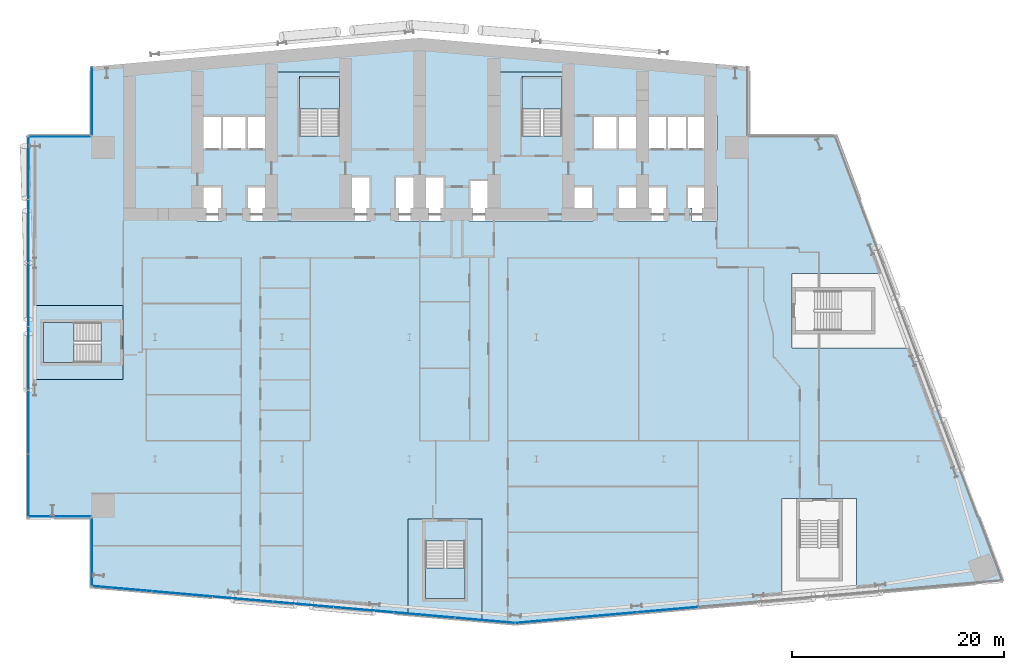
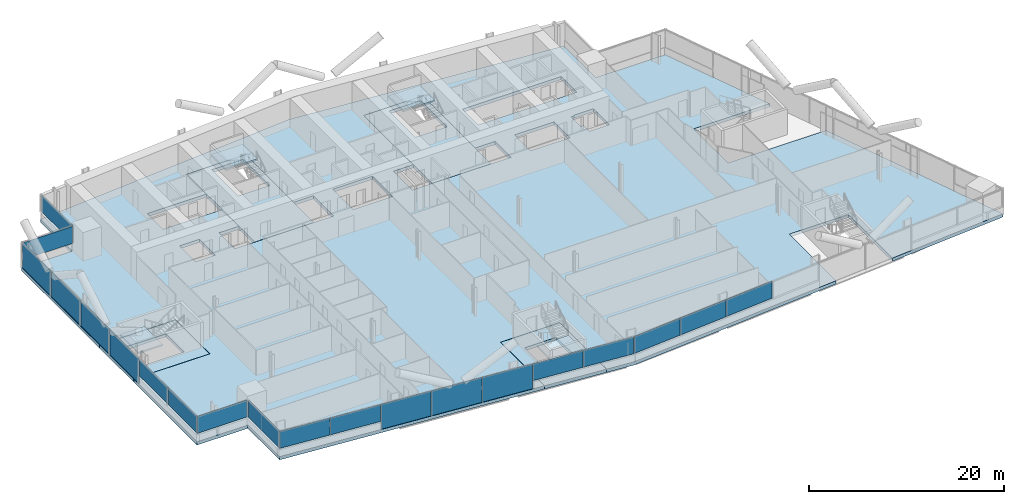
# One storey, part 11 of 27: 20 plates, 9 slabs, 11 elements without a shape of their own.
"""IFC4 building model written with IfcOpenShell, lengths in metres."""

import ifcopenshell
import ifcopenshell.guid

model = None  # the IFC model being written
_history = None  # IfcOwnerHistory: only IFC2X3 demands one
_inside = {}  # id of a spatial element -> (the spatial element, [elements in it])
_under = {}  # id of a project, library or spatial element -> (it, [spatial elements below it])
_declared = {}  # id of a project -> (the project, [libraries it declares])
_typed = {}  # id of a type object -> (the type object, [elements of that type])
_made_of = {}  # id of a material, layer set ... -> (it, [elements and type objects made of it])


def new_model(schema):
    """Start an empty IFC model of exactly this schema.

    Asked for "IFC4X3", IfcOpenShell would pick the latest addendum, in which some entities
    have other attributes; the version numbers below select the first issue.
    IFC2X3 requires an IfcOwnerHistory on every rooted entity: one is made here for all.
    """
    global model, _history
    if schema == "IFC4X3":
        model = ifcopenshell.file(schema_version=(4, 3, 0, 0))
    else:
        model = ifcopenshell.file(schema=schema)
    _inside.clear()
    _under.clear()
    _declared.clear()
    _typed.clear()
    _made_of.clear()
    _history = None
    if model.schema == "IFC2X3":
        org = make("IfcOrganization", Name="unknown")
        user = make(
            "IfcPersonAndOrganization",
            ThePerson=make("IfcPerson", FamilyName="unknown"),
            TheOrganization=org,
        )
        app = make(
            "IfcApplication",
            ApplicationDeveloper=org,
            Version="unknown",
            ApplicationFullName="unknown",
            ApplicationIdentifier="unknown",
        )
        _history = make(
            "IfcOwnerHistory",
            OwningUser=user,
            OwningApplication=app,
            ChangeAction="ADDED",
            CreationDate=0,
        )
    return model


def make(cls, **values):
    """One entity of the class cls with the attributes given. An attribute that is None is left unset."""
    return model.create_entity(
        cls, **{name: value for name, value in values.items() if value is not None}
    )


def rooted(cls, **values):
    """An entity with a GlobalId (a new one), such as an element, a storey or a relation."""
    return make(cls, GlobalId=ifcopenshell.guid.new(), OwnerHistory=_history, **values)


def si_unit(unit_type, name, prefix=None):
    """IfcSIUnit, for example si_unit("LENGTHUNIT", "METRE", prefix="MILLI")."""
    return make("IfcSIUnit", UnitType=unit_type, Prefix=prefix, Name=name)


def assignment(units):
    """IfcUnitAssignment: the units of a project."""
    return None if units is None else make("IfcUnitAssignment", Units=units)


def point(xyz):
    """IfcCartesianPoint."""
    return None if xyz is None else make("IfcCartesianPoint", Coordinates=xyz)


def direction(xyz):
    """IfcDirection."""
    return None if xyz is None else make("IfcDirection", DirectionRatios=xyz)


def frame(location, z_axis=None, x_axis=None):
    """IfcAxis2Placement3D, a coordinate frame: its origin and axes. An axis left out is left unset."""
    return make(
        "IfcAxis2Placement3D",
        Location=point(location),
        Axis=direction(z_axis),
        RefDirection=direction(x_axis),
    )


def frame_2d(location, x_axis=None):
    """IfcAxis2Placement2D, a coordinate frame in the plane: its origin and x axis."""
    return make(
        "IfcAxis2Placement2D", Location=point(location), RefDirection=direction(x_axis)
    )


def origin():
    """The frame at (0, 0, 0) with its axes left unset."""
    return frame((0.0, 0.0, 0.0))


def origin_2d():
    """The frame at (0, 0) in the plane with its x axis left unset."""
    return frame_2d((0.0, 0.0))


def place(relative_to, where):
    """IfcLocalPlacement: puts the frame where relative to a parent placement (None: the world)."""
    return make(
        "IfcLocalPlacement", PlacementRelTo=relative_to, RelativePlacement=where
    )


def context(
    kind, dimensions, precision=None, world=None, true_north=None, identifier=None
):
    """IfcGeometricRepresentationContext, for example the 3D "Model" context."""
    return make(
        "IfcGeometricRepresentationContext",
        ContextIdentifier=identifier,
        ContextType=kind,
        CoordinateSpaceDimension=dimensions,
        Precision=precision,
        WorldCoordinateSystem=world,
        TrueNorth=true_north,
    )


def subcontext(parent, identifier, kind, view, scale=None):
    """IfcGeometricRepresentationSubContext, for example "Body" below "Model"."""
    return make(
        "IfcGeometricRepresentationSubContext",
        ContextIdentifier=identifier,
        ContextType=kind,
        ParentContext=parent,
        TargetScale=scale,
        TargetView=view,
    )


def project(units=None, contexts=None):
    """IfcProject with its units and contexts."""
    return rooted(
        "IfcProject",
        Name="project",
        RepresentationContexts=contexts,
        UnitsInContext=assignment(units),
    )


def spatial(cls, under=None, at=None, **own):
    """A site, building, storey or space (cls), placed at a placement, below another one or the project."""
    s = rooted(cls, ObjectPlacement=at, **own)
    if under is not None:
        _under.setdefault(under.id(), (under, []))[1].append(s)
    return s


def polyline(points):
    """IfcPolyline through the points."""
    return make("IfcPolyline", Points=[point(p) for p in points])


def profile(cls, at=None, kind="AREA", **sizes):
    """A parametric profile (cls). Its sizes go by their IFC names, for example OverallWidth=200.0."""
    return make(cls, ProfileType=kind, Position=at, **sizes)


def rectangle(**sizes):
    """IfcRectangleProfileDef."""
    return profile("IfcRectangleProfileDef", **sizes)


def outline(outer, holes=None, kind="AREA"):
    """IfcArbitraryClosedProfileDef: a profile drawn as a closed curve; with holes, ...WithVoids."""
    if holes is None:
        return make("IfcArbitraryClosedProfileDef", ProfileType=kind, OuterCurve=outer)
    return make(
        "IfcArbitraryProfileDefWithVoids",
        ProfileType=kind,
        OuterCurve=outer,
        InnerCurves=holes,
    )


def extrude(swept, where, along, depth):
    """IfcExtrudedAreaSolid: the profile swept, set in the frame where, extruded along a direction by depth."""
    return make(
        "IfcExtrudedAreaSolid",
        SweptArea=swept,
        Position=where,
        ExtrudedDirection=direction(along),
        Depth=depth,
    )


def shape(context_of_items, identifier, shape_type, items):
    """IfcShapeRepresentation: the items that make up one representation, for example the "Body"."""
    return make(
        "IfcShapeRepresentation",
        ContextOfItems=context_of_items,
        RepresentationIdentifier=identifier,
        RepresentationType=shape_type,
        Items=items,
    )


def material(Name=None, Category=None):
    """IfcMaterial."""
    return make("IfcMaterial", Name=Name, Category=Category)


def layer(
    of_material, thickness, ventilated=None, Name=None, Category=None, Priority=None
):
    """IfcMaterialLayer: one layer of a wall or slab, of a material (None: an air gap)."""
    return make(
        "IfcMaterialLayer",
        Material=of_material,
        LayerThickness=thickness,
        IsVentilated=ventilated,
        Name=Name,
        Category=Category,
        Priority=Priority,
    )


def layer_set(layers, Name=None):
    """IfcMaterialLayerSet."""
    return make("IfcMaterialLayerSet", MaterialLayers=layers, LayerSetName=Name)


def made_of(thing, what):
    """Note that an element or type object is made of a material, layer set ...; save() writes the relation."""
    if what is not None:
        _made_of.setdefault(what.id(), (what, []))[1].append(thing)
    return thing


def type_object(cls, material=None, **own):
    """A type object (cls), such as IfcWallType, which elements share."""
    return made_of(rooted(cls, **own), material)


def element(
    cls,
    number,
    at=None,
    inside=None,
    cuts=None,
    type_object=None,
    material=None,
    context=None,
    identifier="Body",
    shape_type=None,
    held_by="IfcProductDefinitionShape",
    body=None,
    shapes=None,
    **own,
):
    """One element of the class cls, such as IfcWall. Its Tag is "e" and its number.

    at: its placement. inside: the storey or other place that contains it. cuts: it is an
    opening in that element (IfcRelVoidsElement). A single representation is given by context,
    identifier, shape_type and body (its items); several are given by shapes. held_by: the class
    of the entity that holds the representations. save() writes the other relations.
    """
    e = rooted(cls, Tag="e%d" % number, ObjectPlacement=at, **own)
    if body is not None:
        shapes = [shape(context, identifier, shape_type, body)]
    if shapes is not None:
        e.Representation = make(held_by, Representations=shapes)
    if inside is not None:
        _inside.setdefault(inside.id(), (inside, []))[1].append(e)
    if cuts is not None:
        rooted(
            "IfcRelVoidsElement", RelatingBuildingElement=cuts, RelatedOpeningElement=e
        )
    if type_object is not None:
        _typed.setdefault(type_object.id(), (type_object, []))[1].append(e)
    return made_of(e, material)


def aggregate(whole, parts):
    """IfcRelAggregates: a whole, such as a stair, and the parts it consists of."""
    return rooted("IfcRelAggregates", RelatingObject=whole, RelatedObjects=parts)


def save(model, path):
    """Write the relations noted so far, then the file.

    IfcRelAggregates (storeys below a building ...), IfcRelContainedInSpatialStructure (elements
    in a storey), IfcRelDefinesByType, IfcRelAssociatesMaterial and IfcRelDeclares: one each for
    every whole, place, type object, material and project.
    """
    for whole, parts in _under.values():
        aggregate(whole, parts)
    for where, things in _inside.values():
        rooted(
            "IfcRelContainedInSpatialStructure",
            RelatedElements=things,
            RelatingStructure=where,
        )
    for kind, things in _typed.values():
        rooted("IfcRelDefinesByType", RelatedObjects=things, RelatingType=kind)
    for what, things in _made_of.values():
        rooted("IfcRelAssociatesMaterial", RelatedObjects=things, RelatingMaterial=what)
    for by, libraries in _declared.values():
        rooted("IfcRelDeclares", RelatingContext=by, RelatedDefinitions=libraries)
    model.write(path)


model = new_model("IFC4")

# Units and contexts
model_context = context("Model", 3, precision=1e-05, world=origin(), true_north=direction((0.0, 1.0)))
body_context = subcontext(model_context, "Body", "Model", "MODEL_VIEW")
ifc_project = project(units=[si_unit("LENGTHUNIT", "METRE"), si_unit("AREAUNIT", "SQUARE_METRE"), si_unit("VOLUMEUNIT", "CUBIC_METRE"), si_unit("PLANEANGLEUNIT", "RADIAN"), si_unit("MASSUNIT", "GRAM", prefix="KILO")], contexts=[model_context])

# Site, building, storey
site_placement = place(None, origin())
site = spatial("IfcSite", under=ifc_project, at=site_placement, CompositionType="ELEMENT")
building_placement = place(site_placement, origin())
building = spatial("IfcBuilding", under=site, at=building_placement, Name="Wharfspan Tower", CompositionType="ELEMENT")
storey_placement = place(building_placement, frame((0.0, 0.0, 77.5)))
storey = spatial("IfcBuildingStorey", under=building, at=storey_placement, Name="L16", CompositionType="ELEMENT", Elevation=77.5)

# Curtain wall, plates
ifc_material_1 = material(Name="Aluminium 6063-T6", Category="aluminium")
curtain_wall_type_1 = type_object("IfcCurtainWallType", Name="CURTAIN WALL FACETED FRONT", PredefinedType="NOTDEFINED", material=ifc_material_1)
curtain_wall_1_placement = place(storey_placement, origin())
curtain_wall_1 = element("IfcCurtainWall", 1, at=curtain_wall_1_placement, inside=storey, type_object=curtain_wall_type_1, Name="Curtain wall S1", PredefinedType="NOTDEFINED")
ifc_material_2 = material(Name="Glass clear low-iron double glazing", Category="glass")
ifc_layer_1 = layer(ifc_material_2, 0.040039)
ifc_layer_set_1 = layer_set([ifc_layer_1], Name="Glass clear low-iron double glazing")
plate_type_1 = type_object("IfcPlateType", Name="GLASS PANEL FACETED FRONT 40", PredefinedType="CURTAIN_PANEL", material=ifc_layer_set_1)
plate_1_placement = place(storey_placement, frame((8.877197, -0.716553, 1.0), z_axis=(0.0, 0.0, 1.0), x_axis=(0.996197, -0.087156, 0.0)))
plate_1 = element("IfcPlate", 2, at=plate_1_placement, type_object=plate_type_1, Name="Curtain wall S1 panel 1", PredefinedType="CURTAIN_PANEL", context=body_context, shape_type="SweptSolid", body=[
    extrude(rectangle(XDim=5.645996, YDim=0.040039, at=origin_2d()), origin(), (0.0, 0.0, 1.0), 2.120117),
])
plate_2_placement = place(storey_placement, frame((14.57666, -1.215088, 1.0), z_axis=(0.0, 0.0, 1.0), x_axis=(0.996197, -0.087156, 0.0)))
plate_2 = element("IfcPlate", 3, at=plate_2_placement, type_object=plate_type_1, Name="Curtain wall S1 panel 2", PredefinedType="CURTAIN_PANEL", context=body_context, shape_type="SweptSolid", body=[
    extrude(rectangle(XDim=5.676025, YDim=0.040039, at=origin_2d()), origin(), (0.0, 0.0, 1.0), 2.120117),
])
plate_3_placement = place(storey_placement, frame((37.433838, -3.214844, 1.0), z_axis=(0.0, 0.0, 1.0), x_axis=(0.996197, -0.087156, 0.0)))
plate_3 = element("IfcPlate", 4, at=plate_3_placement, type_object=plate_type_1, Name="Curtain wall S1 panel 6", PredefinedType="CURTAIN_PANEL", context=body_context, shape_type="SweptSolid", body=[
    extrude(rectangle(XDim=5.676025, YDim=0.040039, at=origin_2d()), origin(), (0.0, 0.0, 1.0), 2.120117),
])
plate_4_placement = place(storey_placement, frame((43.133057, -3.713379, 1.0), z_axis=(0.0, 0.0, 1.0), x_axis=(0.996197, -0.087156, 0.0)))
plate_4 = element("IfcPlate", 5, at=plate_4_placement, type_object=plate_type_1, Name="Curtain wall S1 panel 7", PredefinedType="CURTAIN_PANEL", context=body_context, shape_type="SweptSolid", body=[
    extrude(rectangle(XDim=5.645996, YDim=0.040039, at=origin_2d()), origin(), (0.0, 0.0, 1.0), 2.120117),
])

curtain_wall_2_placement = place(storey_placement, origin())
curtain_wall_2 = element("IfcCurtainWall", 6, at=curtain_wall_2_placement, inside=storey, type_object=curtain_wall_type_1, Name="Curtain wall S2", PredefinedType="NOTDEFINED")
plate_5_placement = place(storey_placement, frame((48.884766, -3.711914, 1.0), z_axis=(0.0, 0.0, 1.0), x_axis=(0.996197, 0.087156, 0.0)))
plate_5 = element("IfcPlate", 7, at=plate_5_placement, type_object=plate_type_1, Name="Curtain wall S2 panel 1", PredefinedType="CURTAIN_PANEL", context=body_context, shape_type="SweptSolid", body=[
    extrude(rectangle(XDim=5.681885, YDim=0.040039, at=origin_2d()), origin(), (0.0, 0.0, 1.0), 2.120117),
])
plate_6_placement = place(storey_placement, frame((54.619873, -3.210205, 1.0), z_axis=(0.0, 0.0, 1.0), x_axis=(0.996197, 0.087156, 0.0)))
plate_6 = element("IfcPlate", 8, at=plate_6_placement, type_object=plate_type_1, Name="Curtain wall S2 panel 2", PredefinedType="CURTAIN_PANEL", context=body_context, shape_type="SweptSolid", body=[
    extrude(rectangle(XDim=5.711914, YDim=0.040039, at=origin_2d()), origin(), (0.0, 0.0, 1.0), 2.120117),
])
plate_7_placement = place(storey_placement, frame((60.369873, -2.707031, 1.0), z_axis=(0.0, 0.0, 1.0), x_axis=(0.996197, 0.087156, 0.0)))
plate_7 = element("IfcPlate", 9, at=plate_7_placement, type_object=plate_type_1, Name="Curtain wall S2 panel 3", PredefinedType="CURTAIN_PANEL", context=body_context, shape_type="SweptSolid", body=[
    extrude(rectangle(XDim=5.711914, YDim=0.040039, at=origin_2d()), origin(), (0.0, 0.0, 1.0), 2.120117),
])
aggregate(curtain_wall_2, [plate_5, plate_6, plate_7])

# Curtain wall, plate
curtain_wall_type_2 = type_object("IfcCurtainWallType", Name="CURTAIN WALL PROW AND END", PredefinedType="NOTDEFINED", material=ifc_material_1)
curtain_wall_3_placement = place(storey_placement, origin())
curtain_wall_3 = element("IfcCurtainWall", 10, at=curtain_wall_3_placement, inside=storey, type_object=curtain_wall_type_2, Name="Curtain wall NRW-V", PredefinedType="NOTDEFINED")
ifc_layer_2 = layer(ifc_material_2, 0.040039)
ifc_layer_set_2 = layer_set([ifc_layer_2], Name="Glass clear low-iron double glazing")
plate_type_2 = type_object("IfcPlateType", Name="GLASS PANEL PROW AND END 40", PredefinedType="CURTAIN_PANEL", material=ifc_layer_set_2)
plate_8_placement = place(storey_placement, frame((6.080078, 45.262451, 1.0), z_axis=(0.0, 0.0, 1.0), x_axis=(0.0, -1.0, 0.0)))
plate_8 = element("IfcPlate", 11, at=plate_8_placement, type_object=plate_type_2, Name="Curtain wall NRW-V panel 1", PredefinedType="CURTAIN_PANEL", context=body_context, shape_type="SweptSolid", body=[
    extrude(rectangle(XDim=6.405029, YDim=0.040039, at=origin_2d()), origin(), (0.0, 0.0, 1.0), 2.120117),
])
aggregate(curtain_wall_3, [plate_8])

curtain_wall_4_placement = place(storey_placement, origin())
curtain_wall_4 = element("IfcCurtainWall", 12, at=curtain_wall_4_placement, inside=storey, type_object=curtain_wall_type_2, Name="Curtain wall NRW-H", PredefinedType="NOTDEFINED")
plate_9_placement = place(storey_placement, frame((3.0, 41.919922, 1.0), z_axis=(0.0, 0.0, 1.0), x_axis=(-1.0, 0.0, 0.0)))
plate_9 = element("IfcPlate", 13, at=plate_9_placement, type_object=plate_type_2, Name="Curtain wall NRW-H panel 1", PredefinedType="CURTAIN_PANEL", context=body_context, shape_type="SweptSolid", body=[
    extrude(rectangle(XDim=5.879883, YDim=0.040039, at=origin_2d()), origin(), (0.0, 0.0, 1.0), 2.120117),
])
aggregate(curtain_wall_4, [plate_9])

# Curtain wall, plates
curtain_wall_5_placement = place(storey_placement, origin())
curtain_wall_5 = element("IfcCurtainWall", 14, at=curtain_wall_5_placement, inside=storey, type_object=curtain_wall_type_2, Name="Curtain wall W", PredefinedType="NOTDEFINED")
plate_10_placement = place(storey_placement, frame((0.080078, 15.0, 1.0), z_axis=(0.0, 0.0, 1.0), x_axis=(0.0, -1.0, 0.0)))
plate_10 = element("IfcPlate", 15, at=plate_10_placement, type_object=plate_type_2, Name="Curtain wall W panel 5", PredefinedType="CURTAIN_PANEL", context=body_context, shape_type="SweptSolid", body=[
    extrude(rectangle(XDim=5.939941, YDim=0.040039, at=origin_2d()), origin(), (0.0, 0.0, 1.0), 2.120117),
])
plate_11_placement = place(storey_placement, frame((0.080078, 9.014893, 1.0), z_axis=(0.0, 0.0, 1.0), x_axis=(0.0, -1.0, 0.0)))
plate_11 = element("IfcPlate", 16, at=plate_11_placement, type_object=plate_type_2, Name="Curtain wall W panel 6", PredefinedType="CURTAIN_PANEL", context=body_context, shape_type="SweptSolid", body=[
    extrude(rectangle(XDim=5.909912, YDim=0.040039, at=origin_2d()), origin(), (0.0, 0.0, 1.0), 2.120117),
])

# Curtain wall, plate
curtain_wall_6_placement = place(storey_placement, origin())
curtain_wall_6 = element("IfcCurtainWall", 17, at=curtain_wall_6_placement, inside=storey, type_object=curtain_wall_type_2, Name="Curtain wall NFW-H", PredefinedType="NOTDEFINED")
plate_12_placement = place(storey_placement, frame((3.0, 6.080078, 1.0), z_axis=(0.0, 0.0, 1.0), x_axis=(1.0, 0.0, 0.0)))
plate_12 = element("IfcPlate", 18, at=plate_12_placement, type_object=plate_type_2, Name="Curtain wall NFW-H panel 1", PredefinedType="CURTAIN_PANEL", context=body_context, shape_type="SweptSolid", body=[
    extrude(rectangle(XDim=5.879883, YDim=0.040039, at=origin_2d()), origin(), (0.0, 0.0, 1.0), 2.120117),
])
aggregate(curtain_wall_6, [plate_12])

curtain_wall_7_placement = place(storey_placement, origin())
curtain_wall_7 = element("IfcCurtainWall", 19, at=curtain_wall_7_placement, inside=storey, type_object=curtain_wall_type_2, Name="Curtain wall NFW-V", PredefinedType="NOTDEFINED")
plate_13_placement = place(storey_placement, frame((6.080078, 2.737549, 1.0), z_axis=(0.0, 0.0, 1.0), x_axis=(0.0, -1.0, 0.0)))
plate_13 = element("IfcPlate", 20, at=plate_13_placement, type_object=plate_type_2, Name="Curtain wall NFW-V panel 1", PredefinedType="CURTAIN_PANEL", context=body_context, shape_type="SweptSolid", body=[
    extrude(rectangle(XDim=6.405029, YDim=0.040039, at=origin_2d()), origin(), (0.0, 0.0, 1.0), 2.120117),
])
aggregate(curtain_wall_7, [plate_13])

# Plate
ifc_material_3 = material(Name="Aluminium composite opaque insulated panel", Category="aluminium")
ifc_layer_3 = layer(ifc_material_3, 0.040039)
ifc_layer_set_3 = layer_set([ifc_layer_3], Name="Aluminium composite opaque insulated panel")
plate_type_3 = type_object("IfcPlateType", Name="INFILL PANEL FACETED FRONT OPAQUE 40", PredefinedType="SHEET", material=ifc_layer_set_3)
plate_14_placement = place(storey_placement, frame((20.291016, -1.715088, 0.0), z_axis=(0.0, 0.0, 1.0), x_axis=(0.996197, -0.087156, 0.0)))
plate_14 = element("IfcPlate", 21, at=plate_14_placement, type_object=plate_type_3, Name="Curtain wall S1 panel 3", PredefinedType="SHEET", context=body_context, shape_type="SweptSolid", body=[
    extrude(rectangle(XDim=5.676025, YDim=0.040039, at=origin_2d()), origin(), (0.0, 0.0, 1.0), 3.120117),
])

plate_15_placement = place(storey_placement, frame((26.005127, -2.214844, 0.0), z_axis=(0.0, 0.0, 1.0), x_axis=(0.996197, -0.087156, 0.0)))
plate_15 = element("IfcPlate", 22, at=plate_15_placement, type_object=plate_type_3, Name="Curtain wall S1 panel 4", PredefinedType="SHEET", context=body_context, shape_type="SweptSolid", body=[
    extrude(rectangle(XDim=5.676025, YDim=0.040039, at=origin_2d()), origin(), (0.0, 0.0, 1.0), 3.120117),
])

plate_16_placement = place(storey_placement, frame((31.719482, -2.714844, 0.0), z_axis=(0.0, 0.0, 1.0), x_axis=(0.996197, -0.087156, 0.0)))
plate_16 = element("IfcPlate", 23, at=plate_16_placement, type_object=plate_type_3, Name="Curtain wall S1 panel 5", PredefinedType="SHEET", context=body_context, shape_type="SweptSolid", body=[
    extrude(rectangle(XDim=5.676025, YDim=0.040039, at=origin_2d()), origin(), (0.0, 0.0, 1.0), 3.120117),
])

aggregate(curtain_wall_1, [plate_1, plate_2, plate_14, plate_15, plate_16, plate_3, plate_4])

ifc_layer_4 = layer(ifc_material_3, 0.040039)
ifc_layer_set_4 = layer_set([ifc_layer_4], Name="Aluminium composite opaque insulated panel")
plate_type_4 = type_object("IfcPlateType", Name="INFILL PANEL PROW AND END OPAQUE 40", PredefinedType="SHEET", material=ifc_layer_set_4)
plate_17_placement = place(storey_placement, frame((0.080078, 38.985107, 0.0), z_axis=(0.0, 0.0, 1.0), x_axis=(0.0, -1.0, 0.0)))
plate_17 = element("IfcPlate", 24, at=plate_17_placement, type_object=plate_type_4, Name="Curtain wall W panel 1", PredefinedType="SHEET", context=body_context, shape_type="SweptSolid", body=[
    extrude(rectangle(XDim=5.909912, YDim=0.040039, at=origin_2d()), origin(), (0.0, 0.0, 1.0), 3.120117),
])

plate_18_placement = place(storey_placement, frame((0.080078, 33.0, 0.0), z_axis=(0.0, 0.0, 1.0), x_axis=(0.0, -1.0, 0.0)))
plate_18 = element("IfcPlate", 25, at=plate_18_placement, type_object=plate_type_4, Name="Curtain wall W panel 2", PredefinedType="SHEET", context=body_context, shape_type="SweptSolid", body=[
    extrude(rectangle(XDim=5.939941, YDim=0.040039, at=origin_2d()), origin(), (0.0, 0.0, 1.0), 3.120117),
])

plate_19_placement = place(storey_placement, frame((0.080078, 27.0, 0.0), z_axis=(0.0, 0.0, 1.0), x_axis=(0.0, -1.0, 0.0)))
plate_19 = element("IfcPlate", 26, at=plate_19_placement, type_object=plate_type_4, Name="Curtain wall W panel 3", PredefinedType="SHEET", context=body_context, shape_type="SweptSolid", body=[
    extrude(rectangle(XDim=5.939941, YDim=0.040039, at=origin_2d()), origin(), (0.0, 0.0, 1.0), 3.120117),
])

plate_20_placement = place(storey_placement, frame((0.080078, 21.0, 0.0), z_axis=(0.0, 0.0, 1.0), x_axis=(0.0, -1.0, 0.0)))
plate_20 = element("IfcPlate", 27, at=plate_20_placement, type_object=plate_type_4, Name="Curtain wall W panel 4", PredefinedType="SHEET", context=body_context, shape_type="SweptSolid", body=[
    extrude(rectangle(XDim=5.939941, YDim=0.040039, at=origin_2d()), origin(), (0.0, 0.0, 1.0), 3.120117),
])

aggregate(curtain_wall_5, [plate_17, plate_18, plate_19, plate_20, plate_10, plate_11])

# Slabs
ifc_material_4 = material(Name="Concrete C40/50", Category="concrete")
ifc_layer_5 = layer(ifc_material_4, 0.399902)
ifc_layer_set_5 = layer_set([ifc_layer_5], Name="Concrete C40/50")
slab_type_1 = type_object("IfcSlabType", Name="Post-tensioned flat slab 400", PredefinedType="FLOOR", material=ifc_layer_set_5)
slab_1_placement = place(storey_placement, frame((0.0, 0.0, -0.400146)))
element("IfcSlab", 28, at=slab_1_placement, inside=storey, type_object=slab_type_1, Name="Floor slab L16", PredefinedType="FLOOR", context=body_context, shape_type="SweptSolid", body=[
    extrude(outline(polyline([(35.873291, -3.138428), (35.873291, 5.870605), (42.893311, 5.870605), (42.893311, -3.752686), (46.0, -4.024414), (71.182617, -1.821289), (71.182617, 7.802002), (78.202393, 7.802002), (78.202393, -1.207031), (92.0, 0.0), (83.753662, 21.98999), (72.11499, 21.98999), (72.11499, 29.01001), (81.121338, 29.01001), (76.25, 42.0), (68.0, 42.0), (68.0, 48.524902), (37.0, 51.237061), (6.0, 48.524902), (6.0, 42.0), (0.0, 42.0), (0.0, 26.01001), (9.01001, 26.01001), (9.01001, 18.98999), (0.0, 18.98999), (0.0, 6.0), (6.0, 6.0), (6.0, -0.524902), (35.873291, -3.138428)]), holes=[polyline([(62.290039, 37.159912), (62.656738, 37.159912), (62.656738, 37.26001), (65.01001, 37.26001), (65.01001, 33.98999), (62.656738, 33.98999), (62.656738, 35.189941), (62.290039, 35.189941), (62.290039, 37.159912)]), polyline([(65.01001, 43.909912), (65.01001, 40.689941), (53.323242, 40.689941), (53.323242, 43.909912), (65.01001, 43.909912)]), polyline([(55.656738, 33.98999), (55.656738, 37.26001), (60.343262, 37.26001), (60.343262, 33.98999), (55.656738, 33.98999)]), polyline([(43.98999, 37.860107), (43.98999, 48.01001), (51.01001, 48.01001), (51.01001, 37.26001), (53.343262, 37.26001), (53.343262, 33.98999), (41.656738, 33.98999), (41.656738, 37.860107), (43.98999, 37.860107)]), polyline([(34.656738, 33.98999), (34.656738, 38.159912), (39.343262, 38.159912), (39.343262, 33.98999), (34.656738, 33.98999)]), polyline([(15.98999, 40.689941), (15.98999, 43.909912), (20.656738, 43.909912), (20.676758, 43.909912), (22.98999, 43.909912), (22.98999, 48.01001), (30.01001, 48.01001), (30.01001, 38.159912), (32.343262, 38.159912), (32.343262, 33.98999), (20.656738, 33.98999), (20.656738, 37.26001), (22.98999, 37.26001), (22.98999, 40.689941), (20.676758, 40.689941), (20.656738, 40.689941), (15.98999, 40.689941)]), polyline([(18.343262, 37.26001), (18.343262, 33.98999), (15.98999, 33.98999), (15.98999, 37.26001), (18.343262, 37.26001)])]), origin(), (0.0, 0.0, 1.0), 0.400146),
])
slab_2_placement = place(storey_placement, frame((0.0, 0.0, -0.400146)))
element("IfcSlab", 29, at=slab_2_placement, inside=storey, type_object=slab_type_1, Name="Core floor slab L16 part 1", PredefinedType="FLOOR", context=body_context, shape_type="SweptSolid", body=[
    extrude(outline(polyline([(9.0, 20.324951), (9.0, 24.675049), (9.0, 26.0), (0.0, 26.0), (0.0, 19.0), (9.0, 19.0), (9.0, 20.324951)]), holes=[polyline([(6.9021, 20.625), (6.9021, 20.624756), (6.9021, 20.624512), (6.901855, 20.624512), (6.901855, 20.624268), (6.901855, 20.624023), (6.901611, 20.623779), (6.901611, 20.623779), (6.901367, 20.623535), (6.901367, 20.623535), (6.901123, 20.623291), (6.900879, 20.623291), (6.900879, 20.623291), (6.900635, 20.623047), (6.900391, 20.623047), (6.900146, 20.623047), (6.899902, 20.623047), (1.5, 20.623047), (1.499756, 20.623047), (1.499512, 20.623047), (1.499512, 20.623047), (1.499268, 20.623291), (1.499023, 20.623291), (1.498779, 20.623291), (1.498779, 20.623535), (1.498535, 20.623535), (1.498535, 20.623779), (1.498291, 20.623779), (1.498291, 20.624023), (1.498291, 20.624268), (1.498047, 20.624512), (1.498047, 20.624512), (1.498047, 20.624756), (1.498047, 20.625), (1.498047, 24.375), (1.498047, 24.375244), (1.498047, 24.375488), (1.498047, 24.375488), (1.498291, 24.375732), (1.498291, 24.375977), (1.498291, 24.376221), (1.498535, 24.376221), (1.498535, 24.376465), (1.498779, 24.376465), (1.498779, 24.376709), (1.499023, 24.376709), (1.499268, 24.376709), (1.499512, 24.376953), (1.499512, 24.376953), (1.499756, 24.376953), (1.5, 24.376953), (6.899902, 24.376953), (6.900146, 24.376953), (6.900391, 24.376953), (6.900635, 24.376953), (6.900879, 24.376709), (6.900879, 24.376709), (6.901123, 24.376709), (6.901367, 24.376465), (6.901367, 24.376465), (6.901611, 24.376221), (6.901611, 24.376221), (6.901855, 24.375977), (6.901855, 24.375732), (6.901855, 24.375488), (6.9021, 24.375488), (6.9021, 24.375244), (6.9021, 24.375), (6.9021, 20.625)])]), origin(), (0.0, 0.0, 1.0), 0.400146),
])
slab_3_placement = place(storey_placement, frame((0.0, 0.0, -0.400146)))
element("IfcSlab", 30, at=slab_3_placement, inside=storey, type_object=slab_type_1, Name="Core floor slab L16 part 2", PredefinedType="FLOOR", context=body_context, shape_type="SweptSolid", body=[
    extrude(outline(polyline([(20.664795, 34.0), (20.664795, 37.25), (20.664795, 37.250244), (20.664795, 37.250488), (20.664795, 37.250488), (20.664795, 37.250732), (20.664795, 37.250977), (20.665039, 37.251221), (20.665039, 37.251221), (20.665283, 37.251465), (20.665283, 37.251465), (20.665527, 37.251709), (20.665771, 37.251709), (20.666016, 37.251709), (20.666016, 37.251953), (20.66626, 37.251953), (20.666504, 37.251953), (20.666748, 37.251953), (23.0, 37.251953), (23.000244, 37.251953), (23.000488, 37.251953), (23.000488, 37.251953), (23.000732, 37.251709), (23.000977, 37.251709), (23.001221, 37.251709), (23.001221, 37.251465), (23.001465, 37.251465), (23.001465, 37.251221), (23.001709, 37.251221), (23.001709, 37.250977), (23.001709, 37.250732), (23.001953, 37.250488), (23.001953, 37.250488), (23.001953, 37.250244), (23.001953, 37.25), (23.001953, 34.0), (29.998047, 34.0), (29.998047, 38.149902), (29.998047, 38.150146), (29.998047, 38.150391), (29.998047, 38.150635), (29.998291, 38.150879), (29.998291, 38.150879), (29.998291, 38.151123), (29.998535, 38.151367), (29.998535, 38.151367), (29.998779, 38.151611), (29.998779, 38.151611), (29.999023, 38.151855), (29.999268, 38.151855), (29.999512, 38.151855), (29.999512, 38.1521), (29.999756, 38.1521), (30.0, 38.1521), (32.333252, 38.1521), (32.333496, 38.1521), (32.33374, 38.1521), (32.333984, 38.151855), (32.333984, 38.151855), (32.334229, 38.151855), (32.334473, 38.151611), (32.334717, 38.151611), (32.334717, 38.151367), (32.334961, 38.151367), (32.334961, 38.151123), (32.335205, 38.150879), (32.335205, 38.150879), (32.335205, 38.150635), (32.335205, 38.150391), (32.335205, 38.150146), (32.335205, 38.149902), (32.335205, 34.0), (32.341309, 34.0), (32.341309, 38.157959), (30.01001, 38.157959), (30.009766, 38.157959), (30.009521, 38.157959), (30.009521, 38.158203), (30.009277, 38.158203), (30.009033, 38.158203), (30.008789, 38.158203), (30.008789, 38.158447), (30.008545, 38.158691), (30.008545, 38.158691), (30.008301, 38.158936), (30.008301, 38.15918), (30.008301, 38.15918), (30.008057, 38.159424), (30.008057, 38.159668), (30.008057, 38.159912), (30.008057, 38.159912), (30.008057, 48.008057), (22.991943, 48.008057), (22.991943, 43.909912), (22.991943, 43.909912), (22.991943, 43.909668), (22.991943, 43.909424), (22.991699, 43.90918), (22.991699, 43.90918), (22.991699, 43.908936), (22.991455, 43.908691), (22.991455, 43.908691), (22.991211, 43.908447), (22.991211, 43.908203), (22.990967, 43.908203), (22.990723, 43.908203), (22.990479, 43.908203), (22.990479, 43.907959), (22.990234, 43.907959), (22.98999, 43.907959), (15.991943, 43.907959), (15.991943, 40.691895), (22.98999, 40.691895), (22.990234, 40.691895), (22.990479, 40.691895), (22.990479, 40.691895), (22.990723, 40.691895), (22.990967, 40.691895), (22.991211, 40.69165), (22.991211, 40.691406), (22.991455, 40.691406), (22.991455, 40.691406), (22.991699, 40.691162), (22.991699, 40.690918), (22.991699, 40.690918), (22.991943, 40.690674), (22.991943, 40.69043), (22.991943, 40.690186), (22.991943, 40.689941), (22.991943, 37.26001), (22.991943, 37.259766), (22.991943, 37.259521), (22.991943, 37.259521), (22.991699, 37.259277), (22.991699, 37.259033), (22.991699, 37.258789), (22.991455, 37.258789), (22.991455, 37.258545), (22.991211, 37.258545), (22.991211, 37.258301), (22.990967, 37.258301), (22.990723, 37.258301), (22.990479, 37.258057), (22.990479, 37.258057), (22.990234, 37.258057), (22.98999, 37.258057), (20.658691, 37.258057), (20.658691, 34.0), (20.664795, 34.0)]), holes=[polyline([(29.4021, 42.0), (29.4021, 41.999756), (29.4021, 41.999512), (29.401855, 41.999512), (29.401855, 41.999268), (29.401855, 41.999023), (29.401611, 41.998779), (29.401611, 41.998779), (29.401367, 41.998535), (29.401367, 41.998535), (29.401123, 41.998291), (29.400879, 41.998291), (29.400879, 41.998291), (29.400635, 41.998047), (29.400391, 41.998047), (29.400146, 41.998047), (29.399902, 41.998047), (25.649902, 41.998047), (25.649902, 41.998047), (25.649658, 41.998047), (25.649414, 41.998047), (25.64917, 41.998291), (25.64917, 41.998291), (25.648926, 41.998291), (25.648682, 41.998535), (25.648682, 41.998535), (25.648438, 41.998779), (25.648193, 41.998779), (25.648193, 41.999023), (25.648193, 41.999268), (25.648193, 41.999512), (25.647949, 41.999512), (25.647949, 41.999756), (25.647949, 42.0), (25.647949, 47.399902), (25.647949, 47.400146), (25.647949, 47.400391), (25.648193, 47.400635), (25.648193, 47.400879), (25.648193, 47.400879), (25.648193, 47.401123), (25.648438, 47.401367), (25.648682, 47.401367), (25.648682, 47.401611), (25.648926, 47.401611), (25.64917, 47.401855), (25.64917, 47.401855), (25.649414, 47.401855), (25.649658, 47.4021), (25.649902, 47.4021), (25.649902, 47.4021), (29.399902, 47.4021), (29.400146, 47.4021), (29.400391, 47.4021), (29.400635, 47.401855), (29.400879, 47.401855), (29.400879, 47.401855), (29.401123, 47.401611), (29.401367, 47.401611), (29.401367, 47.401367), (29.401611, 47.401367), (29.401611, 47.401123), (29.401855, 47.400879), (29.401855, 47.400879), (29.401855, 47.400635), (29.4021, 47.400391), (29.4021, 47.400146), (29.4021, 47.399902), (29.4021, 42.0)]), polyline([(16.0, 40.697998), (15.999756, 40.697998), (15.999512, 40.697998), (15.999512, 40.697998), (15.999268, 40.698242), (15.999023, 40.698242), (15.998779, 40.698242), (15.998779, 40.698486), (15.998535, 40.698486), (15.998535, 40.69873), (15.998291, 40.698975), (15.998291, 40.699219), (15.998291, 40.699219), (15.998047, 40.699463), (15.998047, 40.699707), (15.998047, 40.699707), (15.998047, 40.699951), (15.998047, 43.899902), (15.998047, 43.900146), (15.998047, 43.900391), (15.998047, 43.900635), (15.998291, 43.900879), (15.998291, 43.900879), (15.998291, 43.901123), (15.998535, 43.901367), (15.998535, 43.901367), (15.998779, 43.901611), (15.998779, 43.901611), (15.999023, 43.901855), (15.999268, 43.901855), (15.999512, 43.901855), (15.999512, 43.9021), (15.999756, 43.9021), (16.0, 43.9021), (20.666748, 43.9021), (20.666748, 43.9021), (23.0, 43.9021), (23.000244, 43.9021), (23.000488, 43.9021), (23.000488, 43.901855), (23.000732, 43.901855), (23.000977, 43.901855), (23.001221, 43.901611), (23.001221, 43.901611), (23.001465, 43.901367), (23.001465, 43.901367), (23.001709, 43.901123), (23.001709, 43.900879), (23.001709, 43.900879), (23.001953, 43.900635), (23.001953, 43.900391), (23.001953, 43.900146), (23.001953, 43.899902), (23.001953, 40.699951), (23.001953, 40.699707), (23.001953, 40.699707), (23.001953, 40.699463), (23.001709, 40.699219), (23.001709, 40.699219), (23.001709, 40.698975), (23.001465, 40.69873), (23.001465, 40.698486), (23.001221, 40.698486), (23.001221, 40.698242), (23.000977, 40.698242), (23.000732, 40.698242), (23.000488, 40.697998), (23.000488, 40.697998), (23.000244, 40.697998), (23.0, 40.697998), (20.666748, 40.697998), (20.666748, 40.697998), (16.0, 40.697998)])]), origin(), (0.0, 0.0, 1.0), 0.400146),
])
slab_4_placement = place(storey_placement, frame((0.0, 0.0, -0.400146)))
element("IfcSlab", 31, at=slab_4_placement, inside=storey, type_object=slab_type_1, Name="Core floor slab L16 part 3", PredefinedType="FLOOR", context=body_context, shape_type="SweptSolid", body=[
    extrude(outline(polyline([(41.55835, 5.860596), (37.208252, 5.860596), (35.883301, 5.860596), (35.883301, -3.139404), (42.883301, -3.751709), (42.883301, 5.860596), (41.55835, 5.860596)]), holes=[polyline([(37.506348, 3.760498), (37.506348, 3.760742), (37.506348, 3.760986), (37.506348, 3.76123), (37.506592, 3.761475), (37.506592, 3.761719), (37.506592, 3.761719), (37.506836, 3.761963), (37.506836, 3.761963), (37.50708, 3.762207), (37.50708, 3.762207), (37.507324, 3.762451), (37.507568, 3.762451), (37.507812, 3.762451), (37.507812, 3.762695), (37.508057, 3.762695), (37.508301, 3.762695), (41.258301, 3.762695), (41.258545, 3.762695), (41.258789, 3.762695), (41.258789, 3.762451), (41.259033, 3.762451), (41.259277, 3.762451), (41.259521, 3.762207), (41.259521, 3.762207), (41.259766, 3.761963), (41.26001, 3.761963), (41.26001, 3.761719), (41.26001, 3.761719), (41.260254, 3.761475), (41.260254, 3.76123), (41.260254, 3.760986), (41.260254, 3.760742), (41.260254, 3.760498), (41.260254, -1.639404), (41.260254, -1.639648), (41.260254, -1.639893), (41.260254, -1.639893), (41.260254, -1.640137), (41.26001, -1.640381), (41.26001, -1.640381), (41.26001, -1.640625), (41.259766, -1.640869), (41.259521, -1.640869), (41.259521, -1.641113), (41.259277, -1.641113), (41.259033, -1.641113), (41.258789, -1.641357), (41.258789, -1.641357), (41.258545, -1.641357), (41.258301, -1.641357), (37.508301, -1.641357), (37.508057, -1.641357), (37.507812, -1.641357), (37.507812, -1.641357), (37.507568, -1.641113), (37.507324, -1.641113), (37.50708, -1.641113), (37.50708, -1.640869), (37.506836, -1.640869), (37.506836, -1.640625), (37.506592, -1.640381), (37.506592, -1.640381), (37.506592, -1.640137), (37.506348, -1.639893), (37.506348, -1.639893), (37.506348, -1.639648), (37.506348, -1.639404), (37.506348, 3.760498)])]), origin(), (0.0, 0.0, 1.0), 0.400146),
])
slab_5_placement = place(storey_placement, frame((0.0, 0.0, -0.400146)))
element("IfcSlab", 32, at=slab_5_placement, inside=storey, type_object=slab_type_1, Name="Core floor slab L16 part 4", PredefinedType="FLOOR", context=body_context, shape_type="SweptSolid", body=[
    extrude(outline(polyline([(53.341309, 34.0), (53.341309, 37.258057), (51.01001, 37.258057), (51.009766, 37.258057), (51.009521, 37.258057), (51.009521, 37.258057), (51.009277, 37.258301), (51.009033, 37.258301), (51.008789, 37.258301), (51.008789, 37.258545), (51.008545, 37.258545), (51.008545, 37.258789), (51.008301, 37.258789), (51.008301, 37.259033), (51.008301, 37.259277), (51.008057, 37.259521), (51.008057, 37.259521), (51.008057, 37.259766), (51.008057, 37.26001), (51.008057, 48.008057), (43.991943, 48.008057), (43.991943, 37.860107), (43.991943, 37.859863), (43.991943, 37.859619), (43.991943, 37.859375), (43.991699, 37.859131), (43.991699, 37.859131), (43.991699, 37.858887), (43.991455, 37.858643), (43.991455, 37.858643), (43.991211, 37.858398), (43.991211, 37.858398), (43.990967, 37.858154), (43.990723, 37.858154), (43.990479, 37.858154), (43.990479, 37.85791), (43.990234, 37.85791), (43.98999, 37.85791), (41.658691, 37.85791), (41.658691, 34.0), (41.664795, 34.0), (41.664795, 37.850098), (41.664795, 37.850098), (41.664795, 37.850342), (41.664795, 37.850586), (41.664795, 37.85083), (41.664795, 37.85083), (41.665039, 37.851074), (41.665039, 37.851318), (41.665283, 37.851318), (41.665283, 37.851562), (41.665527, 37.851807), (41.665771, 37.851807), (41.666016, 37.851807), (41.666016, 37.851807), (41.66626, 37.852051), (41.666504, 37.852051), (41.666748, 37.852051), (44.0, 37.852051), (44.000244, 37.852051), (44.000488, 37.852051), (44.000488, 37.851807), (44.000732, 37.851807), (44.000977, 37.851807), (44.001221, 37.851807), (44.001221, 37.851562), (44.001465, 37.851318), (44.001465, 37.851318), (44.001709, 37.851074), (44.001709, 37.85083), (44.001709, 37.85083), (44.001953, 37.850586), (44.001953, 37.850342), (44.001953, 37.850098), (44.001953, 37.850098), (44.001953, 34.0), (50.998047, 34.0), (50.998047, 37.25), (50.998047, 37.250244), (50.998047, 37.250488), (50.998047, 37.250488), (50.998291, 37.250732), (50.998291, 37.250977), (50.998291, 37.251221), (50.998535, 37.251221), (50.998535, 37.251465), (50.998779, 37.251465), (50.998779, 37.251709), (50.999023, 37.251709), (50.999268, 37.251709), (50.999512, 37.251953), (50.999512, 37.251953), (50.999756, 37.251953), (51.0, 37.251953), (53.333252, 37.251953), (53.333496, 37.251953), (53.33374, 37.251953), (53.333984, 37.251953), (53.333984, 37.251709), (53.334229, 37.251709), (53.334473, 37.251709), (53.334717, 37.251465), (53.334717, 37.251465), (53.334961, 37.251221), (53.334961, 37.251221), (53.335205, 37.250977), (53.335205, 37.250732), (53.335205, 37.250488), (53.335205, 37.250488), (53.335205, 37.250244), (53.335205, 37.25), (53.335205, 34.0), (53.341309, 34.0)]), holes=[polyline([(46.649902, 41.998047), (46.649902, 41.998047), (46.649658, 41.998047), (46.649414, 41.998047), (46.64917, 41.998291), (46.64917, 41.998291), (46.648926, 41.998291), (46.648682, 41.998535), (46.648682, 41.998535), (46.648438, 41.998779), (46.648193, 41.998779), (46.648193, 41.999023), (46.648193, 41.999268), (46.648193, 41.999512), (46.647949, 41.999512), (46.647949, 41.999756), (46.647949, 42.0), (46.647949, 47.399902), (46.647949, 47.400146), (46.647949, 47.400391), (46.648193, 47.400635), (46.648193, 47.400879), (46.648193, 47.400879), (46.648193, 47.401123), (46.648438, 47.401367), (46.648682, 47.401367), (46.648682, 47.401611), (46.648926, 47.401611), (46.64917, 47.401855), (46.64917, 47.401855), (46.649414, 47.401855), (46.649658, 47.4021), (46.649902, 47.4021), (46.649902, 47.4021), (50.399902, 47.4021), (50.400146, 47.4021), (50.400391, 47.4021), (50.400635, 47.401855), (50.400879, 47.401855), (50.400879, 47.401855), (50.401123, 47.401611), (50.401367, 47.401611), (50.401367, 47.401367), (50.401611, 47.401367), (50.401611, 47.401123), (50.401855, 47.400879), (50.401855, 47.400879), (50.401855, 47.400635), (50.4021, 47.400391), (50.4021, 47.400146), (50.4021, 47.399902), (50.4021, 42.0), (50.4021, 41.999756), (50.4021, 41.999512), (50.401855, 41.999512), (50.401855, 41.999268), (50.401855, 41.999023), (50.401611, 41.998779), (50.401611, 41.998779), (50.401367, 41.998535), (50.401367, 41.998535), (50.401123, 41.998291), (50.400879, 41.998291), (50.400879, 41.998291), (50.400635, 41.998047), (50.400391, 41.998047), (50.400146, 41.998047), (50.399902, 41.998047), (46.649902, 41.998047)])]), origin(), (0.0, 0.0, 1.0), 0.400146),
])

# Stair, slab
stair_type = type_object("IfcStairType", Name="Half-turn stair 20 risers 180 mm", PredefinedType="HALF_TURN_STAIR", material=ifc_material_4)
stair_1_placement = place(storey_placement, origin())
stair_1 = element("IfcStair", 33, at=stair_1_placement, inside=storey, type_object=stair_type, Name="L16 stair ST1", PredefinedType="HALF_TURN_STAIR")
ifc_layer_6 = layer(ifc_material_4, 0.199951)
ifc_layer_set_6 = layer_set([ifc_layer_6], Name="Concrete C40/50")
slab_type_2 = type_object("IfcSlabType", Name="Stair landing 200", PredefinedType="LANDING", material=ifc_layer_set_6)
slab_6_placement = place(storey_placement, frame((0.0, 0.0, 1.599854)))
slab_6 = element("IfcSlab", 34, at=slab_6_placement, type_object=slab_type_2, Name="ST1 landing 1", PredefinedType="LANDING", context=body_context, shape_type="SweptSolid", body=[
    extrude(outline(polyline([(25.649902, 44.52002), (29.399902, 44.52002), (29.399902, 47.582764), (25.649902, 47.582764), (25.649902, 44.52002)])), origin(), (0.0, 0.0, 1.0), 0.200195),
])
aggregate(stair_1, [slab_6])

stair_2_placement = place(storey_placement, origin())
stair_2 = element("IfcStair", 35, at=stair_2_placement, inside=storey, type_object=stair_type, Name="L16 stair ST2", PredefinedType="HALF_TURN_STAIR")
slab_7_placement = place(storey_placement, frame((0.0, 0.0, 1.599854)))
slab_7 = element("IfcSlab", 36, at=slab_7_placement, type_object=slab_type_2, Name="ST2 landing 1", PredefinedType="LANDING", context=body_context, shape_type="SweptSolid", body=[
    extrude(outline(polyline([(46.649902, 44.52002), (50.399902, 44.52002), (50.399902, 47.582764), (46.649902, 47.582764), (46.649902, 44.52002)])), origin(), (0.0, 0.0, 1.0), 0.200195),
])
aggregate(stair_2, [slab_7])

stair_3_placement = place(storey_placement, origin())
stair_3 = element("IfcStair", 37, at=stair_3_placement, inside=storey, type_object=stair_type, Name="L16 stair ST3", PredefinedType="HALF_TURN_STAIR")
slab_8_placement = place(storey_placement, frame((0.0, 0.0, 1.599854)))
slab_8 = element("IfcSlab", 38, at=slab_8_placement, type_object=slab_type_2, Name="ST3 landing 1", PredefinedType="LANDING", context=body_context, shape_type="SweptSolid", body=[
    extrude(outline(polyline([(4.379883, 24.375), (1.5, 24.375), (1.5, 20.625), (4.379883, 20.625), (4.379883, 24.375)])), origin(), (0.0, 0.0, 1.0), 0.200195),
])
aggregate(stair_3, [slab_8])

stair_4_placement = place(storey_placement, origin())
stair_4 = element("IfcStair", 39, at=stair_4_placement, inside=storey, type_object=stair_type, Name="L16 stair ST4", PredefinedType="HALF_TURN_STAIR")
slab_9_placement = place(storey_placement, frame((0.0, 0.0, 1.599854)))
slab_9 = element("IfcSlab", 40, at=slab_9_placement, type_object=slab_type_2, Name="ST4 landing 1", PredefinedType="LANDING", context=body_context, shape_type="SweptSolid", body=[
    extrude(outline(polyline([(37.508301, 1.240723), (37.508301, -1.639404), (41.258301, -1.639404), (41.258301, 1.240723), (37.508301, 1.240723)])), origin(), (0.0, 0.0, 1.0), 0.200195),
])
aggregate(stair_4, [slab_9])

save(model, "model.ifc")
